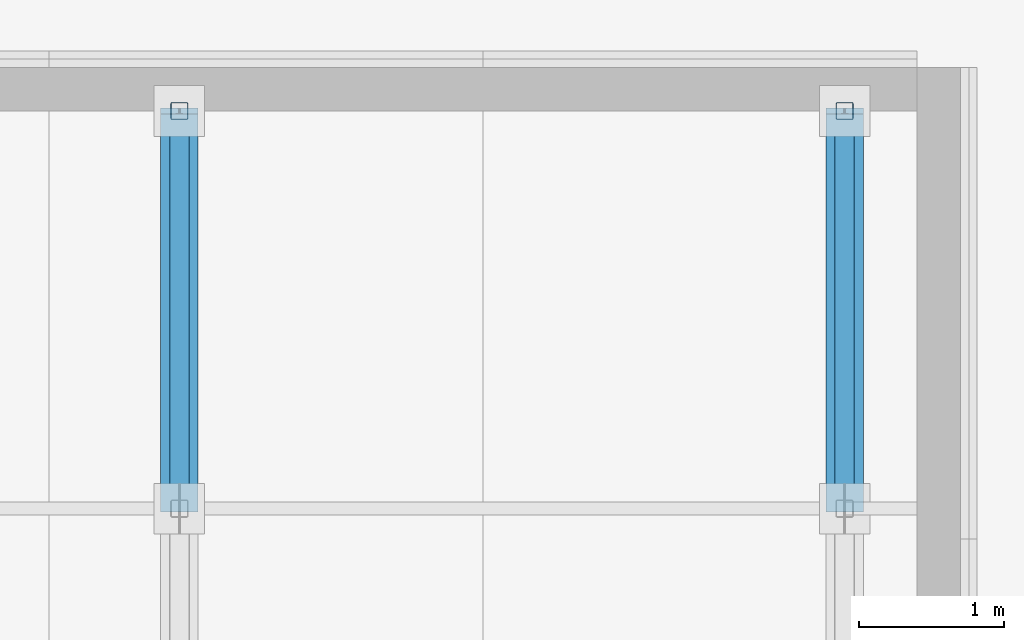
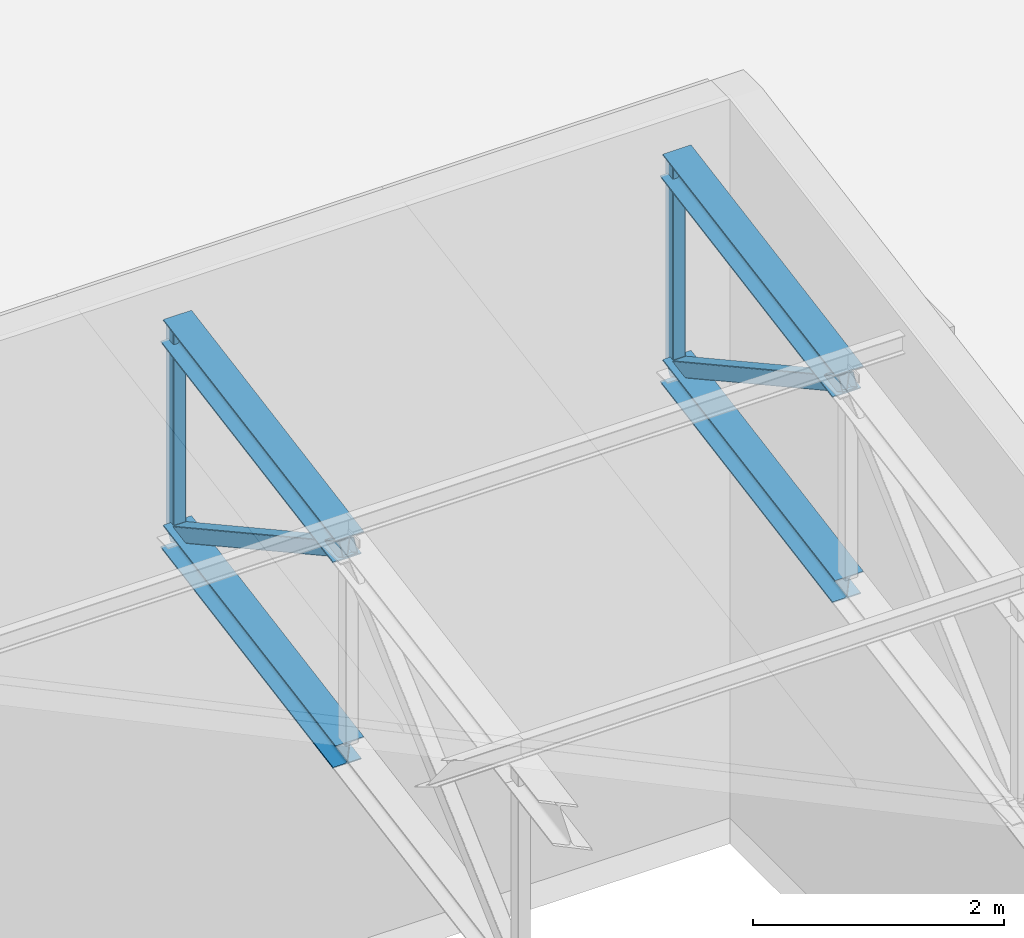
# One storey, part 8 of 22: 8 members.
"""IFC4 building model written with IfcOpenShell, lengths in metres."""

from ifc_helpers import new_model, si_unit, direction, frame, origin, origin_2d, place, context, subcontext, project, spatial, hollow_rectangle, i_section, extrude, material, material_profile, profile_set, type_object, element, save


model = new_model("IFC4")

# Units and contexts
model_context = context("Model", 3, precision=1e-05, world=origin(), true_north=direction((0.0, 1.0)))
body_context = subcontext(model_context, "Body", "Model", "MODEL_VIEW")
ifc_project = project(units=[si_unit("LENGTHUNIT", "METRE"), si_unit("AREAUNIT", "SQUARE_METRE"), si_unit("VOLUMEUNIT", "CUBIC_METRE"), si_unit("PLANEANGLEUNIT", "RADIAN"), si_unit("MASSUNIT", "GRAM", prefix="KILO")], contexts=[model_context])

# Site, building, storey
site_placement = place(None, origin())
site = spatial("IfcSite", under=ifc_project, at=site_placement, CompositionType="ELEMENT")
building_placement = place(site_placement, origin())
building = spatial("IfcBuilding", under=site, at=building_placement, Name="Lunette Opera House", CompositionType="ELEMENT")
storey_placement = place(building_placement, frame((0.0, 0.0, 28.0)))
storey = spatial("IfcBuildingStorey", under=building, at=storey_placement, Name="L05", CompositionType="ELEMENT", Elevation=28.0)

# Members
ifc_material_1 = material(Name="Steel S355", Category="steel")
ifc_material_profile_1 = material_profile(ifc_material_1, i_section(OverallWidth=0.260009765625, OverallDepth=0.25, WebThickness=0.007568359375, FlangeThickness=0.012451171875, FilletRadius=0.02392578125, at=origin_2d()), Name="HEA 260")
ifc_profile_set_1 = profile_set([ifc_material_profile_1], Name="Steel S355")
member_type_1 = type_object("IfcMemberType", Name="CHORD HEA 260", PredefinedType="CHORD", material=ifc_profile_set_1)
for number, where, z_axis, x_axis, name in (
    (1, (28.89990234375, 85.25, 6.089111328125), (0.0, 0.984809952442, 0.173635703618), (-1.0, 0.0, 0.0), "mem-RW-L05-LF-5-TC8"),
    (2, (28.89990234375, 85.25, 4.089111328125), (0.0, 0.984809952442, 0.173635703618), (-1.0, 0.0, 0.0), "mem-RW-L05-LF-5-BC8"),
    (3, (33.5, 85.25, 6.089111328125), (0.0, 0.984809952442, 0.173635703618), (-1.0, 0.0, 0.0), "mem-RW-L05-LF-6-TC8"),
    (4, (33.5, 85.25, 4.089111328125), (0.0, 0.984809952442, 0.173635703618), (-1.0, 0.0, 0.0), "mem-RW-L05-LF-6-BC8"),
):
    element("IfcMember", number, at=place(storey_placement, frame(where, z_axis=z_axis, x_axis=x_axis)), inside=storey, type_object=member_type_1, Name=name, PredefinedType="CHORD", context=body_context, shape_type="SweptSolid", body=[
        extrude(i_section(OverallWidth=0.260009765625, OverallDepth=0.25, WebThickness=0.007568359375, FlangeThickness=0.012451171875, FilletRadius=0.02392578125, at=origin_2d()), origin(), (0.0, 0.0, 1.0), 2.79248046875),
    ])
ifc_material_2 = material(Name="Steel S355", Category="steel")
ifc_material_profile_2 = material_profile(ifc_material_2, hollow_rectangle(XDim=0.139892578125, YDim=0.139892578125, WallThickness=0.006103515625, InnerFilletRadius=0.006103515625, OuterFilletRadius=0.011962890625, at=origin_2d()), Name="RHS 140X140X6")
ifc_profile_set_2 = profile_set([ifc_material_profile_2], Name="Steel S355")
member_type_2 = type_object("IfcMemberType", Name="DIAGONAL RHS 140X140X6", PredefinedType="BRACE", material=ifc_profile_set_2)
for number, where, z_axis, x_axis, name in (
    (5, (28.89990234375, 85.25, 6.089111328125), (0.0, 0.87586106121, -0.482563365223), (-1.0, 0.0, 0.0), "mem-RW-L05-LF-5-TD8"),
    (6, (33.5, 85.25, 6.089111328125), (0.0, 0.87586106121, -0.482563365223), (-1.0, 0.0, 0.0), "mem-RW-L05-LF-6-TD8"),
):
    element("IfcMember", number, at=place(storey_placement, frame(where, z_axis=z_axis, x_axis=x_axis)), inside=storey, type_object=member_type_2, Name=name, PredefinedType="BRACE", context=body_context, shape_type="SweptSolid", body=[
        extrude(hollow_rectangle(XDim=0.139892578125, YDim=0.139892578125, WallThickness=0.006103515625, InnerFilletRadius=0.006103515625, OuterFilletRadius=0.011962890625, at=origin_2d()), origin(), (0.0, 0.0, 1.0), 3.1396484375),
    ])
ifc_material_3 = material(Name="Steel S355", Category="steel")
ifc_material_profile_3 = material_profile(ifc_material_3, hollow_rectangle(XDim=0.1201171875, YDim=0.1201171875, WallThickness=0.0048828125, InnerFilletRadius=0.0048828125, OuterFilletRadius=0.010009765625, at=origin_2d()), Name="RHS 120X120X5")
ifc_profile_set_3 = profile_set([ifc_material_profile_3], Name="Steel S355")
member_type_3 = type_object("IfcMemberType", Name="VERTICAL RHS 120X120X5", PredefinedType="POST", material=ifc_profile_set_3)
for number, where, z_axis, x_axis, name in (
    (7, (28.89990234375, 88.0, 4.573974609375), (0.0, 0.0, 1.0), (1.0, 0.0, 0.0), "mem-RW-L05-LF-5-TV9"),
    (8, (33.5, 88.0, 4.573974609375), (0.0, 0.0, 1.0), (1.0, 0.0, 0.0), "mem-RW-L05-LF-6-TV9"),
):
    element("IfcMember", number, at=place(storey_placement, frame(where, z_axis=z_axis, x_axis=x_axis)), inside=storey, type_object=member_type_3, Name=name, PredefinedType="POST", context=body_context, shape_type="SweptSolid", body=[
        extrude(hollow_rectangle(XDim=0.1201171875, YDim=0.1201171875, WallThickness=0.0048828125, InnerFilletRadius=0.0048828125, OuterFilletRadius=0.010009765625, at=origin_2d()), origin(), (0.0, 0.0, 1.0), 2.0),
    ])

save(model, "model.ifc")
